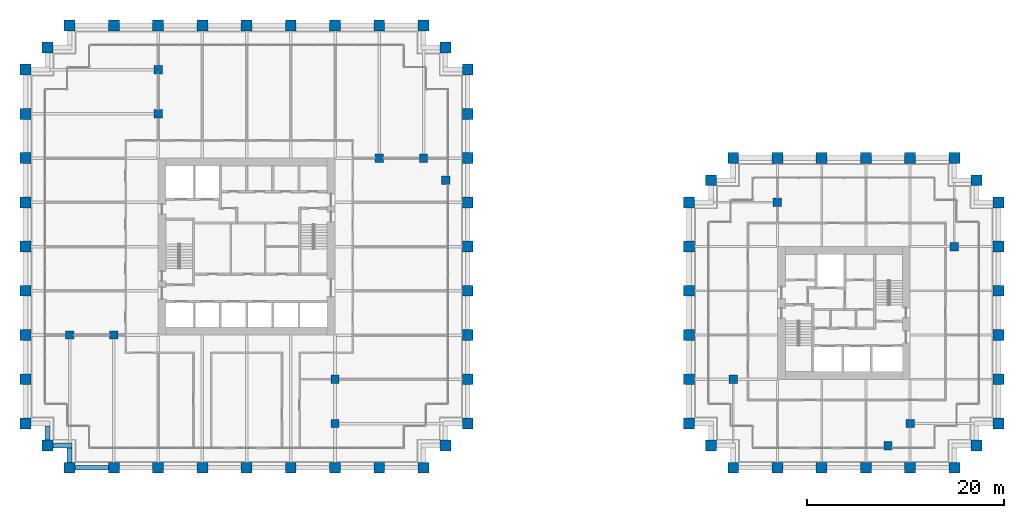
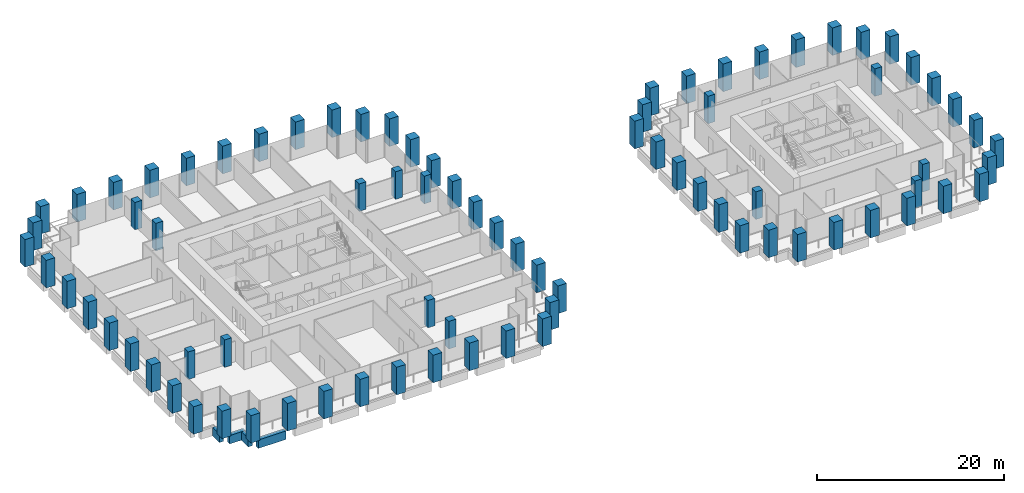
# One storey, part 1 of 56: 82 columns, 4 beams.
"""IFC4 building model written with IfcOpenShell, lengths in metres."""

from ifc_helpers import new_model, si_unit, direction, frame, origin, origin_2d, place, context, subcontext, project, spatial, rectangle, extrude, material, material_profile, profile_set, type_object, element, save


model = new_model("IFC4")

# Units and contexts
model_context = context("Model", 3, precision=1e-05, world=origin(), true_north=direction((0.0, 1.0)))
body_context = subcontext(model_context, "Body", "Model", "MODEL_VIEW")
ifc_project = project(units=[si_unit("LENGTHUNIT", "METRE"), si_unit("AREAUNIT", "SQUARE_METRE"), si_unit("VOLUMEUNIT", "CUBIC_METRE"), si_unit("PLANEANGLEUNIT", "RADIAN"), si_unit("MASSUNIT", "GRAM", prefix="KILO")], contexts=[model_context])

# Site, building, storey
site_placement = place(None, origin())
site = spatial("IfcSite", under=ifc_project, at=site_placement, CompositionType="ELEMENT")
building_placement = place(site_placement, origin())
building = spatial("IfcBuilding", under=site, at=building_placement, Name="Altepetl Exchange Towers", CompositionType="ELEMENT")
storey_placement = place(building_placement, frame((0.0, 0.0, 69.0)))
storey = spatial("IfcBuildingStorey", under=building, at=storey_placement, Name="L16", CompositionType="ELEMENT", Elevation=69.0)

# Columns
ifc_material_1 = material(Name="Concrete C70/85", Category="concrete")
ifc_material_profile_1 = material_profile(ifc_material_1, rectangle(XDim=0.85009765625, YDim=0.85009765625, at=origin_2d()), Name="850 x 850")
ifc_profile_set_1 = profile_set([ifc_material_profile_1], Name="Concrete C70/85")
column_type_1 = type_object("IfcColumnType", Name="Interior column 850", PredefinedType="COLUMN", material=ifc_profile_set_1)
for number, where, name in (
    (1, (31.5, 40.5, 0.0), "col:A:L16:040"),
    (2, (36.0, 40.5, 0.0), "col:A:L16:041"),
    (3, (40.5, 63.0, 0.0), "col:A:L16:042"),
    (4, (40.5, 67.5, 0.0), "col:A:L16:043"),
    (5, (58.5, 31.5, 0.0), "col:A:L16:044"),
    (6, (58.5, 36.0, 0.0), "col:A:L16:045"),
    (7, (63.0, 58.5, 0.0), "col:A:L16:046"),
    (8, (67.5, 58.5, 0.0), "col:A:L16:047"),
    (9, (69.75, 56.25, 0.0), "col:A:L16:048"),
    (10, (99.0, 36.0, 0.0), "col:B:L16:028"),
    (11, (103.5, 54.0, 0.0), "col:B:L16:029"),
    (12, (114.75, 29.25, 0.0), "col:B:L16:030"),
    (13, (117.0, 31.5, 0.0), "col:B:L16:031"),
    (14, (121.5, 49.5, 0.0), "col:B:L16:032"),
):
    element("IfcColumn", number, at=place(storey_placement, frame(where)), inside=storey, type_object=column_type_1, Name=name, PredefinedType="COLUMN", context=body_context, shape_type="SweptSolid", body=[
        extrude(rectangle(XDim=0.85009765625, YDim=0.85009765625, at=origin_2d()), origin(), (0.0, 0.0, 1.0), 3.60009765625),
    ])
ifc_material_2 = material(Name="Concrete C70/85 precast with cantera amarilla facing", Category="concrete")
ifc_material_profile_2 = material_profile(ifc_material_2, rectangle(XDim=1.10009765625, YDim=1.10009765625, at=origin_2d()), Name="1100 x 1100")
ifc_profile_set_2 = profile_set([ifc_material_profile_2], Name="Concrete C70/85 precast with cantera amarilla facing")
column_type_2 = type_object("IfcColumnType", Name="Perimeter column 1100 cantera amarilla", PredefinedType="COLUMN", material=ifc_profile_set_2)
for number, where, name in (
    (15, (58.5, 27.0, 0.0), "col:A:L16:006"),
    (16, (63.0, 27.0, 0.0), "col:A:L16:007"),
    (17, (67.5, 27.0, 0.0), "col:A:L16:008"),
    (18, (69.75, 29.25, 0.0), "col:A:L16:009"),
    (19, (72.0, 31.5, 0.0), "col:A:L16:010"),
    (20, (72.0, 36.0, 0.0), "col:A:L16:011"),
    (21, (72.0, 40.5, 0.0), "col:A:L16:012"),
    (22, (72.0, 45.0, 0.0), "col:A:L16:013"),
    (23, (72.0, 49.5, 0.0), "col:A:L16:014"),
    (24, (72.0, 54.0, 0.0), "col:A:L16:015"),
    (25, (126.0, 49.5, 0.0), "col:B:L16:011"),
    (26, (126.0, 54.0, 0.0), "col:B:L16:012"),
    (27, (123.75, 56.25, 0.0), "col:B:L16:013"),
    (28, (121.5, 58.5, 0.0), "col:B:L16:014"),
    (29, (117.0, 58.5, 0.0), "col:B:L16:015"),
    (30, (112.5, 58.5, 0.0), "col:B:L16:016"),
    (31, (108.0, 58.5, 0.0), "col:B:L16:017"),
):
    element("IfcColumn", number, at=place(storey_placement, frame(where)), inside=storey, type_object=column_type_2, Name=name, PredefinedType="COLUMN", context=body_context, shape_type="SweptSolid", body=[
        extrude(rectangle(XDim=1.10009765625, YDim=1.10009765625, at=origin_2d()), origin(), (0.0, 0.0, 1.0), 3.60009765625),
    ])
ifc_material_3 = material(Name="Concrete C70/85 precast with cantera blanca facing", Category="concrete")
ifc_material_profile_3 = material_profile(ifc_material_3, rectangle(XDim=1.10009765625, YDim=1.10009765625, at=origin_2d()), Name="1100 x 1100")
ifc_profile_set_3 = profile_set([ifc_material_profile_3], Name="Concrete C70/85 precast with cantera blanca facing")
column_type_3 = type_object("IfcColumnType", Name="Perimeter column 1100 cantera blanca", PredefinedType="COLUMN", material=ifc_profile_set_3)
for number, where, name in (
    (32, (31.5, 27.0, 0.0), "col:A:L16:000"),
    (33, (36.0, 27.0, 0.0), "col:A:L16:001"),
    (34, (40.5, 27.0, 0.0), "col:A:L16:002"),
    (35, (45.0, 27.0, 0.0), "col:A:L16:003"),
    (36, (49.5, 27.0, 0.0), "col:A:L16:004"),
    (37, (54.0, 27.0, 0.0), "col:A:L16:005"),
    (38, (27.0, 36.0, 0.0), "col:A:L16:037"),
    (39, (27.0, 31.5, 0.0), "col:A:L16:038"),
    (40, (29.25, 29.25, 0.0), "col:A:L16:039"),
    (41, (117.0, 27.0, 0.0), "col:B:L16:004"),
    (42, (121.5, 27.0, 0.0), "col:B:L16:005"),
    (43, (123.75, 29.25, 0.0), "col:B:L16:006"),
    (44, (126.0, 31.5, 0.0), "col:B:L16:007"),
    (45, (126.0, 36.0, 0.0), "col:B:L16:008"),
    (46, (126.0, 40.5, 0.0), "col:B:L16:009"),
    (47, (126.0, 45.0, 0.0), "col:B:L16:010"),
):
    element("IfcColumn", number, at=place(storey_placement, frame(where)), inside=storey, type_object=column_type_3, Name=name, PredefinedType="COLUMN", context=body_context, shape_type="SweptSolid", body=[
        extrude(rectangle(XDim=1.10009765625, YDim=1.10009765625, at=origin_2d()), origin(), (0.0, 0.0, 1.0), 3.60009765625),
    ])
ifc_material_4 = material(Name="Concrete C70/85 precast with cantera rosa facing", Category="concrete")
ifc_material_profile_4 = material_profile(ifc_material_4, rectangle(XDim=1.10009765625, YDim=1.10009765625, at=origin_2d()), Name="1100 x 1100")
ifc_profile_set_4 = profile_set([ifc_material_profile_4], Name="Concrete C70/85 precast with cantera rosa facing")
column_type_4 = type_object("IfcColumnType", Name="Perimeter column 1100 cantera rosa", PredefinedType="COLUMN", material=ifc_profile_set_4)
for number, where, name in (
    (48, (72.0, 58.5, 0.0), "col:A:L16:016"),
    (49, (72.0, 63.0, 0.0), "col:A:L16:017"),
    (50, (72.0, 67.5, 0.0), "col:A:L16:018"),
    (51, (69.75, 69.75, 0.0), "col:A:L16:019"),
    (52, (67.5, 72.0, 0.0), "col:A:L16:020"),
    (53, (63.0, 72.0, 0.0), "col:A:L16:021"),
    (54, (58.5, 72.0, 0.0), "col:A:L16:022"),
    (55, (54.0, 72.0, 0.0), "col:A:L16:023"),
    (56, (49.5, 72.0, 0.0), "col:A:L16:024"),
    (57, (45.0, 72.0, 0.0), "col:A:L16:025"),
    (58, (103.5, 58.5, 0.0), "col:B:L16:018"),
    (59, (99.0, 58.5, 0.0), "col:B:L16:019"),
    (60, (96.75, 56.25, 0.0), "col:B:L16:020"),
    (61, (94.5, 54.0, 0.0), "col:B:L16:021"),
    (62, (94.5, 49.5, 0.0), "col:B:L16:022"),
    (63, (94.5, 45.0, 0.0), "col:B:L16:023"),
    (64, (94.5, 40.5, 0.0), "col:B:L16:024"),
    (65, (94.5, 36.0, 0.0), "col:B:L16:025"),
):
    element("IfcColumn", number, at=place(storey_placement, frame(where)), inside=storey, type_object=column_type_4, Name=name, PredefinedType="COLUMN", context=body_context, shape_type="SweptSolid", body=[
        extrude(rectangle(XDim=1.10009765625, YDim=1.10009765625, at=origin_2d()), origin(), (0.0, 0.0, 1.0), 3.60009765625),
    ])
ifc_material_5 = material(Name="Concrete C70/85 precast with tezontle facing", Category="concrete")
ifc_material_profile_5 = material_profile(ifc_material_5, rectangle(XDim=1.10009765625, YDim=1.10009765625, at=origin_2d()), Name="1100 x 1100")
ifc_profile_set_5 = profile_set([ifc_material_profile_5], Name="Concrete C70/85 precast with tezontle facing")
column_type_5 = type_object("IfcColumnType", Name="Perimeter column 1100 tezontle", PredefinedType="COLUMN", material=ifc_profile_set_5)
for number, where, name in (
    (66, (40.5, 72.0, 0.0), "col:A:L16:026"),
    (67, (36.0, 72.0, 0.0), "col:A:L16:027"),
    (68, (31.5, 72.0, 0.0), "col:A:L16:028"),
    (69, (29.25, 69.75, 0.0), "col:A:L16:029"),
    (70, (27.0, 67.5, 0.0), "col:A:L16:030"),
    (71, (27.0, 63.0, 0.0), "col:A:L16:031"),
    (72, (27.0, 58.5, 0.0), "col:A:L16:032"),
    (73, (27.0, 54.0, 0.0), "col:A:L16:033"),
    (74, (27.0, 49.5, 0.0), "col:A:L16:034"),
    (75, (27.0, 45.0, 0.0), "col:A:L16:035"),
    (76, (27.0, 40.5, 0.0), "col:A:L16:036"),
    (77, (99.0, 27.0, 0.0), "col:B:L16:000"),
    (78, (103.5, 27.0, 0.0), "col:B:L16:001"),
    (79, (108.0, 27.0, 0.0), "col:B:L16:002"),
    (80, (112.5, 27.0, 0.0), "col:B:L16:003"),
    (81, (94.5, 31.5, 0.0), "col:B:L16:026"),
    (82, (96.75, 29.25, 0.0), "col:B:L16:027"),
):
    element("IfcColumn", number, at=place(storey_placement, frame(where)), inside=storey, type_object=column_type_5, Name=name, PredefinedType="COLUMN", context=body_context, shape_type="SweptSolid", body=[
        extrude(rectangle(XDim=1.10009765625, YDim=1.10009765625, at=origin_2d()), origin(), (0.0, 0.0, 1.0), 3.60009765625),
    ])

# Beams
ifc_material_6 = material(Name="Concrete C50/60 precast with cantera blanca facing", Category="concrete")
ifc_material_profile_6 = material_profile(ifc_material_6, rectangle(XDim=0.5, YDim=1.10009765625, at=origin_2d()), Name="500 x 1100")
ifc_profile_set_6 = profile_set([ifc_material_profile_6], Name="Concrete C50/60 precast with cantera blanca facing")
beam_type = type_object("IfcBeamType", Name="Spandrel beam 500x1100 cantera blanca", PredefinedType="SPANDREL", material=ifc_profile_set_6)
beam_1_placement = place(storey_placement, frame((32.050048828125, 27.0, -0.699951171875), z_axis=(1.0, 0.0, 0.0), x_axis=(0.0, 1.0, 0.0)))
element("IfcBeam", 83, at=beam_1_placement, inside=storey, type_object=beam_type, Name="sp:A:L16:000", PredefinedType="SPANDREL", context=body_context, shape_type="SweptSolid", body=[
    extrude(rectangle(XDim=0.5, YDim=1.10009765625, at=origin_2d()), origin(), (0.0, 0.0, 1.0), 3.39990234375),
])
beam_2_placement = place(storey_placement, frame((29.25, 31.25, -0.699951171875), z_axis=(0.0, -1.0, 0.0), x_axis=(1.0, 0.0, 0.0)))
element("IfcBeam", 84, at=beam_2_placement, inside=storey, type_object=beam_type, Name="sp:A:L16:045", PredefinedType="SPANDREL", context=body_context, shape_type="SweptSolid", body=[
    extrude(rectangle(XDim=0.5, YDim=1.10009765625, at=origin_2d()), origin(), (0.0, 0.0, 1.0), 1.449951171875),
])
beam_3_placement = place(storey_placement, frame((29.800048828125, 29.25, -0.699951171875), z_axis=(1.0, 0.0, 0.0), x_axis=(0.0, 1.0, 0.0)))
element("IfcBeam", 85, at=beam_3_placement, inside=storey, type_object=beam_type, Name="sp:A:L16:046", PredefinedType="SPANDREL", context=body_context, shape_type="SweptSolid", body=[
    extrude(rectangle(XDim=0.5, YDim=1.10009765625, at=origin_2d()), origin(), (0.0, 0.0, 1.0), 1.949951171875),
])
beam_4_placement = place(storey_placement, frame((31.5, 29.0, -0.699951171875), z_axis=(0.0, -1.0, 0.0), x_axis=(1.0, 0.0, 0.0)))
element("IfcBeam", 86, at=beam_4_placement, inside=storey, type_object=beam_type, Name="sp:A:L16:047", PredefinedType="SPANDREL", context=body_context, shape_type="SweptSolid", body=[
    extrude(rectangle(XDim=0.5, YDim=1.10009765625, at=origin_2d()), origin(), (0.0, 0.0, 1.0), 1.449951171875),
])

save(model, "model.ifc")
